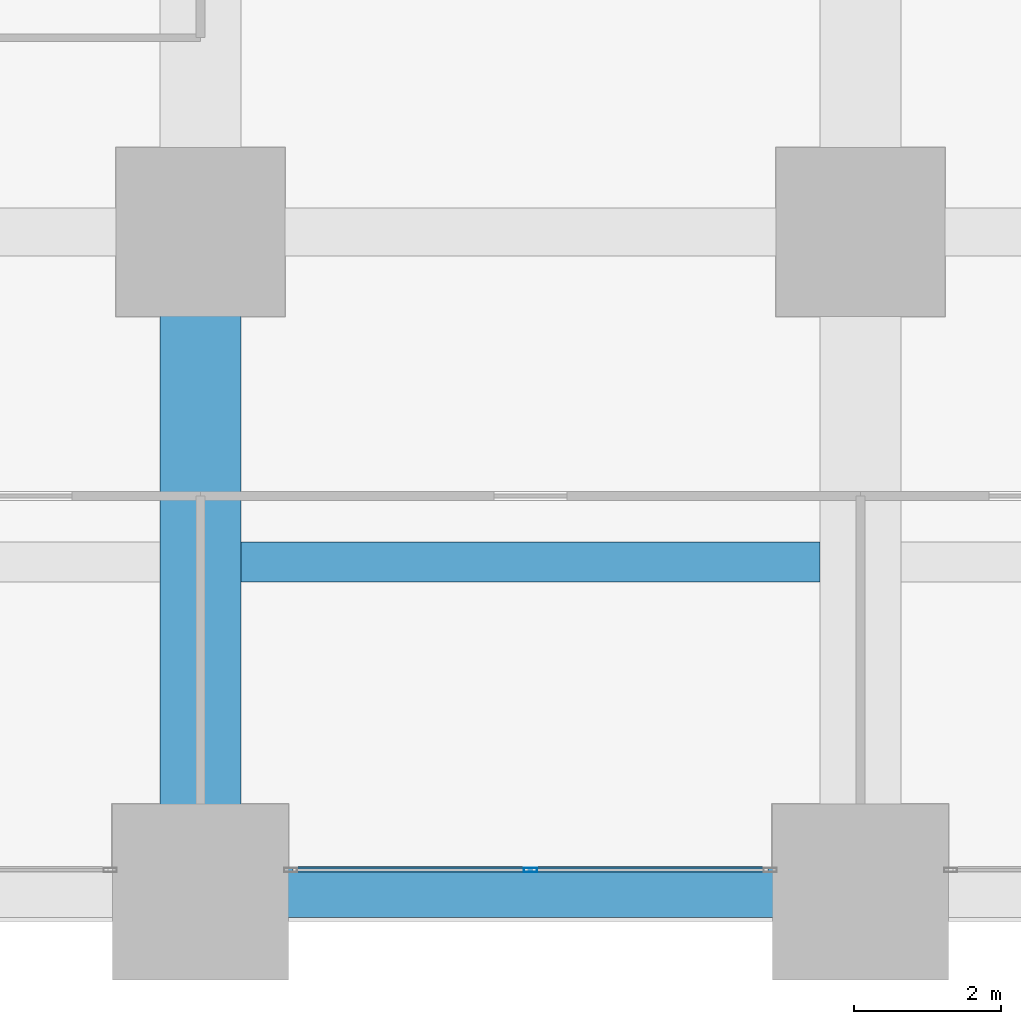
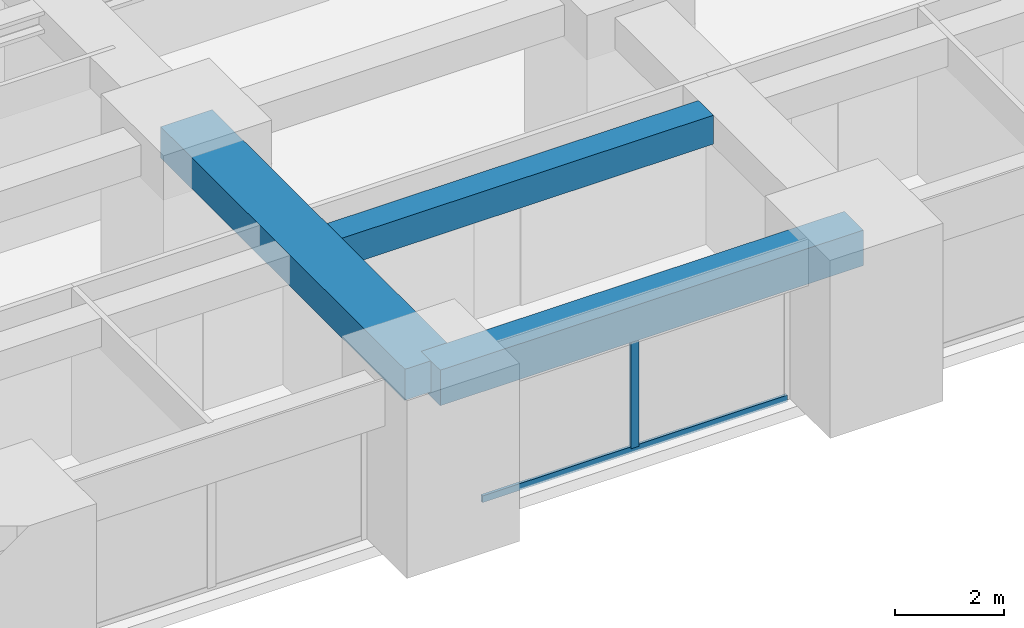
# One storey, part 7 of 44: 3 beams, 2 members, 1 element without a shape of its own.
"""IFC4 building model written with IfcOpenShell, lengths in metres."""

from ifc_helpers import new_model, si_unit, direction, frame, origin, origin_2d, place, context, subcontext, project, spatial, rectangle, hollow_rectangle, extrude, material, material_profile, profile_set, type_object, element, aggregate, save


model = new_model("IFC4")

# Units and contexts
model_context = context("Model", 3, precision=1e-05, world=origin(), true_north=direction((0.0, 1.0)))
body_context = subcontext(model_context, "Body", "Model", "MODEL_VIEW")
ifc_project = project(units=[si_unit("LENGTHUNIT", "METRE"), si_unit("AREAUNIT", "SQUARE_METRE"), si_unit("VOLUMEUNIT", "CUBIC_METRE"), si_unit("PLANEANGLEUNIT", "RADIAN"), si_unit("MASSUNIT", "GRAM", prefix="KILO")], contexts=[model_context])

# Site, building, storey
site_placement = place(None, origin())
site = spatial("IfcSite", under=ifc_project, at=site_placement, CompositionType="ELEMENT")
building_placement = place(site_placement, origin())
building = spatial("IfcBuilding", under=site, at=building_placement, Name="Zorevar Civic Tower", CompositionType="ELEMENT")
storey_placement = place(building_placement, frame((0.0, 0.0, 43.800048828125)))
storey = spatial("IfcBuildingStorey", under=building, at=storey_placement, Name="L10", CompositionType="ELEMENT", Elevation=43.800048828125)

# Beams
ifc_material_1 = material(Name="Concrete C50/60", Category="concrete")
ifc_material_profile_1 = material_profile(ifc_material_1, rectangle(XDim=1.10009765625, YDim=0.699951171875, at=origin_2d()), Name="RC 1100x700")
ifc_profile_set_1 = profile_set([ifc_material_profile_1], Name="Concrete C50/60")
beam_type_1 = type_object("IfcBeamType", Name="Beam RC 1100x700", PredefinedType="BEAM", material=ifc_profile_set_1)
beam_1_placement = place(storey_placement, frame((27.0, 0.0, 3.39990234375), z_axis=(0.0, 1.0, 0.0), x_axis=(-1.0, 0.0, 0.0)))
element("IfcBeam", 1, at=beam_1_placement, inside=storey, type_object=beam_type_1, Name="Girder L11", PredefinedType="BEAM", context=body_context, shape_type="SweptSolid", body=[
    extrude(rectangle(XDim=1.10009765625, YDim=0.699951171875, at=origin_2d()), origin(), (0.0, 0.0, 1.0), 9.0),
])
ifc_material_2 = material(Name="Concrete C50/60", Category="concrete")
ifc_material_profile_2 = material_profile(ifc_material_2, rectangle(XDim=0.550048828125, YDim=0.64990234375, at=origin_2d()), Name="RC 550x650")
ifc_profile_set_2 = profile_set([ifc_material_profile_2], Name="Concrete C50/60")
beam_type_2 = type_object("IfcBeamType", Name="Beam RC 550x650", PredefinedType="BEAM", material=ifc_profile_set_2)
beam_2_placement = place(storey_placement, frame((27.550048828125, 4.5, 3.425048828125), z_axis=(1.0, 0.0, 0.0), x_axis=(0.0, 1.0, 0.0)))
element("IfcBeam", 2, at=beam_2_placement, inside=storey, type_object=beam_type_2, Name="Secondary beam L11", PredefinedType="BEAM", context=body_context, shape_type="SweptSolid", body=[
    extrude(rectangle(XDim=0.550048828125, YDim=0.64990234375, at=origin_2d()), origin(), (0.0, 0.0, 1.0), 7.89990234375),
])

# Curtain wall, members
ifc_material_3 = material(Name="Dark grey solar-control glass in black aluminium frame", Category="aluminium")
curtain_wall_type = type_object("IfcCurtainWallType", Name="Curtain wall CW2 low zone", PredefinedType="NOTDEFINED", material=ifc_material_3)
curtain_wall_placement = place(storey_placement, origin())
curtain_wall = element("IfcCurtainWall", 3, at=curtain_wall_placement, inside=storey, type_object=curtain_wall_type, Name="CW2 L10", PredefinedType="NOTDEFINED")
ifc_material_4 = material(Name="Aluminium, black anodised", Category="aluminium")
ifc_material_profile_3 = material_profile(ifc_material_4, hollow_rectangle(XDim=0.06005859375, YDim=0.179931640625, WallThickness=0.00390625, at=origin_2d()), Name="AL 180x60x4")
ifc_profile_set_3 = profile_set([ifc_material_profile_3], Name="Aluminium, black anodised")
member_type_1 = type_object("IfcMemberType", Name="CW2 mullion AL 180x60x4", PredefinedType="MULLION", material=ifc_profile_set_3)
member_1_placement = place(storey_placement, frame((31.5, 0.300048828125, 0.06005859375), z_axis=(0.0, 0.0, 1.0), x_axis=(0.0, 1.0, 0.0)))
member_1 = element("IfcMember", 4, at=member_1_placement, type_object=member_type_1, Name="CW2 mullion 2", PredefinedType="MULLION", context=body_context, shape_type="SweptSolid", body=[
    extrude(hollow_rectangle(XDim=0.06005859375, YDim=0.179931640625, WallThickness=0.00390625, at=origin_2d()), origin(), (0.0, 0.0, 1.0), 2.889892578125),
])
ifc_material_5 = material(Name="Aluminium, black anodised", Category="aluminium")
ifc_material_profile_4 = material_profile(ifc_material_5, hollow_rectangle(XDim=0.06005859375, YDim=0.14990234375, WallThickness=0.00390625, at=origin_2d()), Name="AL 150x60x4")
ifc_profile_set_4 = profile_set([ifc_material_profile_4], Name="Aluminium, black anodised")
member_type_2 = type_object("IfcMemberType", Name="CW2 transom AL 150x60x4", PredefinedType="USERDEFINED", material=ifc_profile_set_4)
member_2_placement = place(storey_placement, frame((28.260009765625, 0.300048828125, 0.030029296875), z_axis=(1.0, 0.0, 0.0), x_axis=(0.0, 1.0, 0.0)))
member_2 = element("IfcMember", 5, at=member_2_placement, type_object=member_type_2, Name="CW2 sill transom", ObjectType="TRANSOM", PredefinedType="USERDEFINED", context=body_context, shape_type="SweptSolid", body=[
    extrude(hollow_rectangle(XDim=0.06005859375, YDim=0.14990234375, WallThickness=0.00390625, at=origin_2d()), origin(), (0.0, 0.0, 1.0), 6.47998046875),
])
aggregate(curtain_wall, [member_1, member_2])

# Beam
ifc_material_6 = material(Name="Concrete C50/60", Category="concrete")
ifc_material_profile_5 = material_profile(ifc_material_6, rectangle(XDim=0.699951171875, YDim=0.800048828125, at=origin_2d()), Name="RC 700x800")
ifc_profile_set_5 = profile_set([ifc_material_profile_5], Name="Concrete C50/60")
beam_type_3 = type_object("IfcBeamType", Name="Edge beam RC 700x800", PredefinedType="SPANDREL", material=ifc_profile_set_5)
beam_3_placement = place(storey_placement, frame((27.0, 0.0, 3.349853515625), z_axis=(1.0, 0.0, 0.0), x_axis=(0.0, 1.0, 0.0)))
element("IfcBeam", 6, at=beam_3_placement, inside=storey, type_object=beam_type_3, Name="Edge beam L11", PredefinedType="SPANDREL", context=body_context, shape_type="SweptSolid", body=[
    extrude(rectangle(XDim=0.699951171875, YDim=0.800048828125, at=origin_2d()), origin(), (0.0, 0.0, 1.0), 9.0),
])

save(model, "model.ifc")
